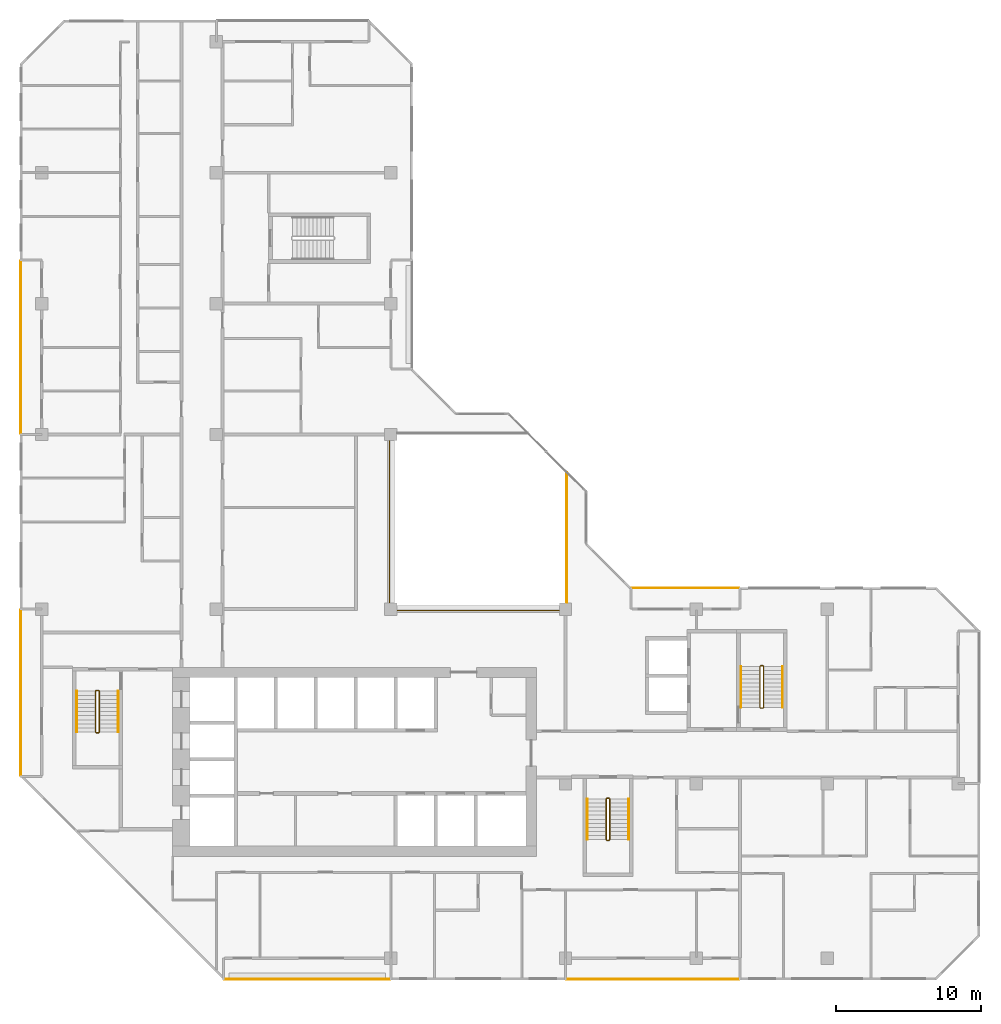
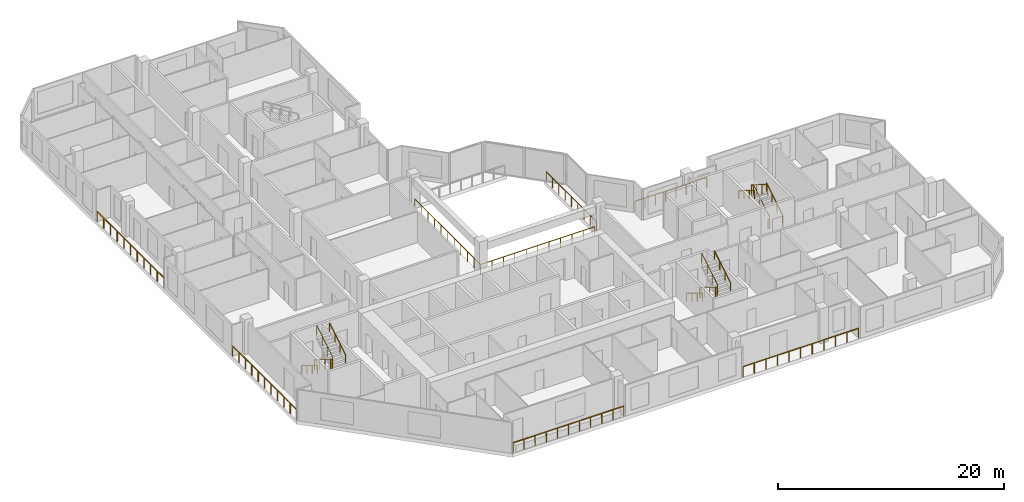
# One storey, part 14 of 15: 16 railings.
"""IFC4 building model written with IfcOpenShell, lengths in metres."""

from ifc_helpers import new_model, si_unit, direction, frame, origin, origin_2d, place, context, subcontext, project, spatial, rectangle, extrude, material, type_object, element, save


model = new_model("IFC4")

# Units and contexts
model_context = context("Model", 3, precision=1e-05, world=origin(), true_north=direction((0.0, 1.0)))
body_context = subcontext(model_context, "Body", "Model", "MODEL_VIEW")
ifc_project = project(units=[si_unit("LENGTHUNIT", "METRE"), si_unit("AREAUNIT", "SQUARE_METRE"), si_unit("VOLUMEUNIT", "CUBIC_METRE"), si_unit("PLANEANGLEUNIT", "RADIAN"), si_unit("MASSUNIT", "GRAM", prefix="KILO")], contexts=[model_context])

# Site, building, storey
site_placement = place(None, origin())
site = spatial("IfcSite", under=ifc_project, at=site_placement, CompositionType="ELEMENT")
building_placement = place(site_placement, origin())
building = spatial("IfcBuilding", under=site, at=building_placement, Name="Chenar Terraces", CompositionType="ELEMENT")
storey_placement = place(building_placement, frame((0.0, 0.0, 215.39990234375)))
storey = spatial("IfcBuildingStorey", under=building, at=storey_placement, Name="L50", CompositionType="ELEMENT", Elevation=215.39990234375)

# Railings
ifc_material_1 = material(Name="Powder-coated steel", Category="steel")
railing_type_1 = type_object("IfcRailingType", Name="Guard 1100 steel rail with glass infill", PredefinedType="GUARDRAIL", material=ifc_material_1)
railing_1_placement = place(storey_placement, frame((23.89990234375, 35.574951171875, 0.0)))
element("IfcRailing", 1, at=railing_1_placement, inside=storey, type_object=railing_type_1, Name="Guard L50-1", PredefinedType="GUARDRAIL", context=body_context, shape_type="SweptSolid", body=[
    extrude(rectangle(XDim=0.06005859375, YDim=0.06005859375, at=origin_2d()), frame((0.0, 0.0, 1.070068359375), z_axis=(0.0, -1.0, 0.0), x_axis=(1.0, 0.0, 0.0)), (0.0, 0.0, 1.0), 11.675048828125),
    extrude(rectangle(XDim=0.06005859375, YDim=0.06005859375, at=origin_2d()), frame((0.0, -11.675048828125, 1.070068359375), z_axis=(1.0, 0.0, 0.0), x_axis=(0.0, 1.0, 0.0)), (0.0, 0.0, 1.0), 11.675048828125),
    extrude(rectangle(XDim=0.050048828125, YDim=0.050048828125, at=origin_2d()), origin(), (0.0, 0.0, 1.0), 1.0400390625),
    extrude(rectangle(XDim=0.050048828125, YDim=0.050048828125, at=origin_2d()), frame((0.0, -1.16748046875, 0.0)), (0.0, 0.0, 1.0), 1.0400390625),
    extrude(rectangle(XDim=0.050048828125, YDim=0.050048828125, at=origin_2d()), frame((0.0, -2.3349609375, 0.0)), (0.0, 0.0, 1.0), 1.0400390625),
    extrude(rectangle(XDim=0.050048828125, YDim=0.050048828125, at=origin_2d()), frame((0.0, -3.50244140625, 0.0)), (0.0, 0.0, 1.0), 1.0400390625),
    extrude(rectangle(XDim=0.050048828125, YDim=0.050048828125, at=origin_2d()), frame((0.0, -4.669921875, 0.0)), (0.0, 0.0, 1.0), 1.0400390625),
    extrude(rectangle(XDim=0.050048828125, YDim=0.050048828125, at=origin_2d()), frame((0.0, -5.83740234375, 0.0)), (0.0, 0.0, 1.0), 1.0400390625),
    extrude(rectangle(XDim=0.050048828125, YDim=0.050048828125, at=origin_2d()), frame((0.0, -7.005126953125, 0.0)), (0.0, 0.0, 1.0), 1.0400390625),
    extrude(rectangle(XDim=0.050048828125, YDim=0.050048828125, at=origin_2d()), frame((0.0, -8.172607421875, 0.0)), (0.0, 0.0, 1.0), 1.0400390625),
    extrude(rectangle(XDim=0.050048828125, YDim=0.050048828125, at=origin_2d()), frame((0.0, -9.340087890625, 0.0)), (0.0, 0.0, 1.0), 1.0400390625),
    extrude(rectangle(XDim=0.050048828125, YDim=0.050048828125, at=origin_2d()), frame((0.0, -10.507568359375, 0.0)), (0.0, 0.0, 1.0), 1.0400390625),
    extrude(rectangle(XDim=0.050048828125, YDim=0.050048828125, at=origin_2d()), frame((0.0, -11.675048828125, 0.0)), (0.0, 0.0, 1.0), 1.0400390625),
    extrude(rectangle(XDim=0.050048828125, YDim=0.050048828125, at=origin_2d()), frame((1.16748046875, -11.675048828125, 0.0)), (0.0, 0.0, 1.0), 1.0400390625),
    extrude(rectangle(XDim=0.050048828125, YDim=0.050048828125, at=origin_2d()), frame((2.3349609375, -11.675048828125, 0.0)), (0.0, 0.0, 1.0), 1.0400390625),
    extrude(rectangle(XDim=0.050048828125, YDim=0.050048828125, at=origin_2d()), frame((3.50244140625, -11.675048828125, 0.0)), (0.0, 0.0, 1.0), 1.0400390625),
    extrude(rectangle(XDim=0.050048828125, YDim=0.050048828125, at=origin_2d()), frame((4.669921875, -11.675048828125, 0.0)), (0.0, 0.0, 1.0), 1.0400390625),
    extrude(rectangle(XDim=0.050048828125, YDim=0.050048828125, at=origin_2d()), frame((5.83740234375, -11.675048828125, 0.0)), (0.0, 0.0, 1.0), 1.0400390625),
    extrude(rectangle(XDim=0.050048828125, YDim=0.050048828125, at=origin_2d()), frame((7.005126953125, -11.675048828125, 0.0)), (0.0, 0.0, 1.0), 1.0400390625),
    extrude(rectangle(XDim=0.050048828125, YDim=0.050048828125, at=origin_2d()), frame((8.172607421875, -11.675048828125, 0.0)), (0.0, 0.0, 1.0), 1.0400390625),
    extrude(rectangle(XDim=0.050048828125, YDim=0.050048828125, at=origin_2d()), frame((9.340087890625, -11.675048828125, 0.0)), (0.0, 0.0, 1.0), 1.0400390625),
    extrude(rectangle(XDim=0.050048828125, YDim=0.050048828125, at=origin_2d()), frame((10.507568359375, -11.675048828125, 0.0)), (0.0, 0.0, 1.0), 1.0400390625),
    extrude(rectangle(XDim=0.050048828125, YDim=0.050048828125, at=origin_2d()), frame((11.675048828125, -11.675048828125, 0.0)), (0.0, 0.0, 1.0), 1.0400390625),
])
railing_2_placement = place(storey_placement, frame((36.10009765625, 24.47509765625, 0.0)))
element("IfcRailing", 2, at=railing_2_placement, inside=storey, type_object=railing_type_1, Name="Guard L50-3", PredefinedType="GUARDRAIL", context=body_context, shape_type="SweptSolid", body=[
    extrude(rectangle(XDim=0.06005859375, YDim=0.06005859375, at=origin_2d()), frame((0.0, 0.0, 1.070068359375), z_axis=(0.0, 1.0, 0.0), x_axis=(-1.0, 0.0, 0.0)), (0.0, 0.0, 1.0), 8.9248046875),
    extrude(rectangle(XDim=0.050048828125, YDim=0.050048828125, at=origin_2d()), origin(), (0.0, 0.0, 1.0), 1.0400390625),
    extrude(rectangle(XDim=0.050048828125, YDim=0.050048828125, at=origin_2d()), frame((0.0, 1.11572265625, 0.0)), (0.0, 0.0, 1.0), 1.0400390625),
    extrude(rectangle(XDim=0.050048828125, YDim=0.050048828125, at=origin_2d()), frame((0.0, 2.231201171875, 0.0)), (0.0, 0.0, 1.0), 1.0400390625),
    extrude(rectangle(XDim=0.050048828125, YDim=0.050048828125, at=origin_2d()), frame((0.0, 3.3466796875, 0.0)), (0.0, 0.0, 1.0), 1.0400390625),
    extrude(rectangle(XDim=0.050048828125, YDim=0.050048828125, at=origin_2d()), frame((0.0, 4.46240234375, 0.0)), (0.0, 0.0, 1.0), 1.0400390625),
    extrude(rectangle(XDim=0.050048828125, YDim=0.050048828125, at=origin_2d()), frame((0.0, 5.578125, 0.0)), (0.0, 0.0, 1.0), 1.0400390625),
    extrude(rectangle(XDim=0.050048828125, YDim=0.050048828125, at=origin_2d()), frame((0.0, 6.693603515625, 0.0)), (0.0, 0.0, 1.0), 1.0400390625),
    extrude(rectangle(XDim=0.050048828125, YDim=0.050048828125, at=origin_2d()), frame((0.0, 7.80908203125, 0.0)), (0.0, 0.0, 1.0), 1.0400390625),
    extrude(rectangle(XDim=0.050048828125, YDim=0.050048828125, at=origin_2d()), frame((0.0, 8.9248046875, 0.0)), (0.0, 0.0, 1.0), 1.0400390625),
])
ifc_material_2 = material(Name="Stainless steel and glass", Category="steel")
railing_type_2 = type_object("IfcRailingType", Name="Loggia guard 1150", PredefinedType="GUARDRAIL", material=ifc_material_2)
railing_3_placement = place(storey_placement, frame((47.925048828125, 25.449951171875, 0.0)))
element("IfcRailing", 3, at=railing_3_placement, inside=storey, type_object=railing_type_2, Name="Loggia guard", PredefinedType="GUARDRAIL", context=body_context, shape_type="SweptSolid", body=[
    extrude(rectangle(XDim=0.048095703125, YDim=0.048095703125, at=origin_2d()), frame((0.0, 0.0, 1.1259765625), z_axis=(-1.0, 0.0, 0.0), x_axis=(0.0, -1.0, 0.0)), (0.0, 0.0, 1.0), 7.35009765625),
    extrude(rectangle(XDim=0.0419921875, YDim=0.0419921875, at=origin_2d()), origin(), (0.0, 0.0, 1.0), 1.101806640625),
    extrude(rectangle(XDim=0.0419921875, YDim=0.0419921875, at=origin_2d()), frame((-1.050048828125, 0.0, 0.0)), (0.0, 0.0, 1.0), 1.101806640625),
    extrude(rectangle(XDim=0.0419921875, YDim=0.0419921875, at=origin_2d()), frame((-2.10009765625, 0.0, 0.0)), (0.0, 0.0, 1.0), 1.101806640625),
    extrude(rectangle(XDim=0.0419921875, YDim=0.0419921875, at=origin_2d()), frame((-3.150146484375, 0.0, 0.0)), (0.0, 0.0, 1.0), 1.101806640625),
    extrude(rectangle(XDim=0.0419921875, YDim=0.0419921875, at=origin_2d()), frame((-4.199951171875, 0.0, 0.0)), (0.0, 0.0, 1.0), 1.101806640625),
    extrude(rectangle(XDim=0.0419921875, YDim=0.0419921875, at=origin_2d()), frame((-5.25, 0.0, 0.0)), (0.0, 0.0, 1.0), 1.101806640625),
    extrude(rectangle(XDim=0.0419921875, YDim=0.0419921875, at=origin_2d()), frame((-6.300048828125, 0.0, 0.0)), (0.0, 0.0, 1.0), 1.101806640625),
    extrude(rectangle(XDim=0.0419921875, YDim=0.0419921875, at=origin_2d()), frame((-7.35009765625, 0.0, 0.0)), (0.0, 0.0, 1.0), 1.101806640625),
])
railing_4_placement = place(storey_placement, frame((12.574951171875, -1.449951171875, 0.0)))
element("IfcRailing", 4, at=railing_4_placement, inside=storey, type_object=railing_type_2, Name="Loggia guard", PredefinedType="GUARDRAIL", context=body_context, shape_type="SweptSolid", body=[
    extrude(rectangle(XDim=0.048095703125, YDim=0.048095703125, at=origin_2d()), frame((0.0, 0.0, 1.1259765625), z_axis=(1.0, 0.0, 0.0), x_axis=(0.0, 1.0, 0.0)), (0.0, 0.0, 1.0), 11.35009765625),
    extrude(rectangle(XDim=0.0419921875, YDim=0.0419921875, at=origin_2d()), origin(), (0.0, 0.0, 1.0), 1.101806640625),
    extrude(rectangle(XDim=0.0419921875, YDim=0.0419921875, at=origin_2d()), frame((1.135009765625, 0.0, 0.0)), (0.0, 0.0, 1.0), 1.101806640625),
    extrude(rectangle(XDim=0.0419921875, YDim=0.0419921875, at=origin_2d()), frame((2.27001953125, 0.0, 0.0)), (0.0, 0.0, 1.0), 1.101806640625),
    extrude(rectangle(XDim=0.0419921875, YDim=0.0419921875, at=origin_2d()), frame((3.405029296875, 0.0, 0.0)), (0.0, 0.0, 1.0), 1.101806640625),
    extrude(rectangle(XDim=0.0419921875, YDim=0.0419921875, at=origin_2d()), frame((4.5400390625, 0.0, 0.0)), (0.0, 0.0, 1.0), 1.101806640625),
    extrude(rectangle(XDim=0.0419921875, YDim=0.0419921875, at=origin_2d()), frame((5.675048828125, 0.0, 0.0)), (0.0, 0.0, 1.0), 1.101806640625),
    extrude(rectangle(XDim=0.0419921875, YDim=0.0419921875, at=origin_2d()), frame((6.81005859375, 0.0, 0.0)), (0.0, 0.0, 1.0), 1.101806640625),
    extrude(rectangle(XDim=0.0419921875, YDim=0.0419921875, at=origin_2d()), frame((7.945068359375, 0.0, 0.0)), (0.0, 0.0, 1.0), 1.101806640625),
    extrude(rectangle(XDim=0.0419921875, YDim=0.0419921875, at=origin_2d()), frame((9.080078125, 0.0, 0.0)), (0.0, 0.0, 1.0), 1.101806640625),
    extrude(rectangle(XDim=0.0419921875, YDim=0.0419921875, at=origin_2d()), frame((10.215087890625, 0.0, 0.0)), (0.0, 0.0, 1.0), 1.101806640625),
    extrude(rectangle(XDim=0.0419921875, YDim=0.0419921875, at=origin_2d()), frame((11.35009765625, 0.0, 0.0)), (0.0, 0.0, 1.0), 1.101806640625),
])
railing_5_placement = place(storey_placement, frame((36.074951171875, -1.449951171875, 0.0)))
element("IfcRailing", 5, at=railing_5_placement, inside=storey, type_object=railing_type_2, Name="Loggia guard", PredefinedType="GUARDRAIL", context=body_context, shape_type="SweptSolid", body=[
    extrude(rectangle(XDim=0.048095703125, YDim=0.048095703125, at=origin_2d()), frame((0.0, 0.0, 1.1259765625), z_axis=(1.0, 0.0, 0.0), x_axis=(0.0, 1.0, 0.0)), (0.0, 0.0, 1.0), 11.85009765625),
    extrude(rectangle(XDim=0.0419921875, YDim=0.0419921875, at=origin_2d()), origin(), (0.0, 0.0, 1.0), 1.101806640625),
    extrude(rectangle(XDim=0.0419921875, YDim=0.0419921875, at=origin_2d()), frame((1.18505859375, 0.0, 0.0)), (0.0, 0.0, 1.0), 1.101806640625),
    extrude(rectangle(XDim=0.0419921875, YDim=0.0419921875, at=origin_2d()), frame((2.3701171875, 0.0, 0.0)), (0.0, 0.0, 1.0), 1.101806640625),
    extrude(rectangle(XDim=0.0419921875, YDim=0.0419921875, at=origin_2d()), frame((3.554931640625, 0.0, 0.0)), (0.0, 0.0, 1.0), 1.101806640625),
    extrude(rectangle(XDim=0.0419921875, YDim=0.0419921875, at=origin_2d()), frame((4.739990234375, 0.0, 0.0)), (0.0, 0.0, 1.0), 1.101806640625),
    extrude(rectangle(XDim=0.0419921875, YDim=0.0419921875, at=origin_2d()), frame((5.925048828125, 0.0, 0.0)), (0.0, 0.0, 1.0), 1.101806640625),
    extrude(rectangle(XDim=0.0419921875, YDim=0.0419921875, at=origin_2d()), frame((7.110107421875, 0.0, 0.0)), (0.0, 0.0, 1.0), 1.101806640625),
    extrude(rectangle(XDim=0.0419921875, YDim=0.0419921875, at=origin_2d()), frame((8.295166015625, 0.0, 0.0)), (0.0, 0.0, 1.0), 1.101806640625),
    extrude(rectangle(XDim=0.0419921875, YDim=0.0419921875, at=origin_2d()), frame((9.47998046875, 0.0, 0.0)), (0.0, 0.0, 1.0), 1.101806640625),
    extrude(rectangle(XDim=0.0419921875, YDim=0.0419921875, at=origin_2d()), frame((10.6650390625, 0.0, 0.0)), (0.0, 0.0, 1.0), 1.101806640625),
    extrude(rectangle(XDim=0.0419921875, YDim=0.0419921875, at=origin_2d()), frame((11.85009765625, 0.0, 0.0)), (0.0, 0.0, 1.0), 1.101806640625),
])
railing_6_placement = place(storey_placement, frame((-1.449951171875, 47.925048828125, 0.0)))
element("IfcRailing", 6, at=railing_6_placement, inside=storey, type_object=railing_type_2, Name="Loggia guard", PredefinedType="GUARDRAIL", context=body_context, shape_type="SweptSolid", body=[
    extrude(rectangle(XDim=0.048095703125, YDim=0.048095703125, at=origin_2d()), frame((0.0, 0.0, 1.1259765625), z_axis=(0.0, -1.0, 0.0), x_axis=(1.0, 0.0, 0.0)), (0.0, 0.0, 1.0), 11.85009765625),
    extrude(rectangle(XDim=0.0419921875, YDim=0.0419921875, at=origin_2d()), origin(), (0.0, 0.0, 1.0), 1.101806640625),
    extrude(rectangle(XDim=0.0419921875, YDim=0.0419921875, at=origin_2d()), frame((0.0, -1.18505859375, 0.0)), (0.0, 0.0, 1.0), 1.101806640625),
    extrude(rectangle(XDim=0.0419921875, YDim=0.0419921875, at=origin_2d()), frame((0.0, -2.3701171875, 0.0)), (0.0, 0.0, 1.0), 1.101806640625),
    extrude(rectangle(XDim=0.0419921875, YDim=0.0419921875, at=origin_2d()), frame((0.0, -3.554931640625, 0.0)), (0.0, 0.0, 1.0), 1.101806640625),
    extrude(rectangle(XDim=0.0419921875, YDim=0.0419921875, at=origin_2d()), frame((0.0, -4.739990234375, 0.0)), (0.0, 0.0, 1.0), 1.101806640625),
    extrude(rectangle(XDim=0.0419921875, YDim=0.0419921875, at=origin_2d()), frame((0.0, -5.925048828125, 0.0)), (0.0, 0.0, 1.0), 1.101806640625),
    extrude(rectangle(XDim=0.0419921875, YDim=0.0419921875, at=origin_2d()), frame((0.0, -7.110107421875, 0.0)), (0.0, 0.0, 1.0), 1.101806640625),
    extrude(rectangle(XDim=0.0419921875, YDim=0.0419921875, at=origin_2d()), frame((0.0, -8.295166015625, 0.0)), (0.0, 0.0, 1.0), 1.101806640625),
    extrude(rectangle(XDim=0.0419921875, YDim=0.0419921875, at=origin_2d()), frame((0.0, -9.47998046875, 0.0)), (0.0, 0.0, 1.0), 1.101806640625),
    extrude(rectangle(XDim=0.0419921875, YDim=0.0419921875, at=origin_2d()), frame((0.0, -10.6650390625, 0.0)), (0.0, 0.0, 1.0), 1.101806640625),
    extrude(rectangle(XDim=0.0419921875, YDim=0.0419921875, at=origin_2d()), frame((0.0, -11.85009765625, 0.0)), (0.0, 0.0, 1.0), 1.101806640625),
])
railing_7_placement = place(storey_placement, frame((-1.449951171875, 23.925048828125, 0.0)))
element("IfcRailing", 7, at=railing_7_placement, inside=storey, type_object=railing_type_2, Name="Loggia guard", PredefinedType="GUARDRAIL", context=body_context, shape_type="SweptSolid", body=[
    extrude(rectangle(XDim=0.048095703125, YDim=0.048095703125, at=origin_2d()), frame((0.0, 0.0, 1.1259765625), z_axis=(0.0, -1.0, 0.0), x_axis=(1.0, 0.0, 0.0)), (0.0, 0.0, 1.0), 11.35009765625),
    extrude(rectangle(XDim=0.0419921875, YDim=0.0419921875, at=origin_2d()), origin(), (0.0, 0.0, 1.0), 1.101806640625),
    extrude(rectangle(XDim=0.0419921875, YDim=0.0419921875, at=origin_2d()), frame((0.0, -1.135009765625, 0.0)), (0.0, 0.0, 1.0), 1.101806640625),
    extrude(rectangle(XDim=0.0419921875, YDim=0.0419921875, at=origin_2d()), frame((0.0, -2.27001953125, 0.0)), (0.0, 0.0, 1.0), 1.101806640625),
    extrude(rectangle(XDim=0.0419921875, YDim=0.0419921875, at=origin_2d()), frame((0.0, -3.405029296875, 0.0)), (0.0, 0.0, 1.0), 1.101806640625),
    extrude(rectangle(XDim=0.0419921875, YDim=0.0419921875, at=origin_2d()), frame((0.0, -4.5400390625, 0.0)), (0.0, 0.0, 1.0), 1.101806640625),
    extrude(rectangle(XDim=0.0419921875, YDim=0.0419921875, at=origin_2d()), frame((0.0, -5.675048828125, 0.0)), (0.0, 0.0, 1.0), 1.101806640625),
    extrude(rectangle(XDim=0.0419921875, YDim=0.0419921875, at=origin_2d()), frame((0.0, -6.81005859375, 0.0)), (0.0, 0.0, 1.0), 1.101806640625),
    extrude(rectangle(XDim=0.0419921875, YDim=0.0419921875, at=origin_2d()), frame((0.0, -7.945068359375, 0.0)), (0.0, 0.0, 1.0), 1.101806640625),
    extrude(rectangle(XDim=0.0419921875, YDim=0.0419921875, at=origin_2d()), frame((0.0, -9.080078125, 0.0)), (0.0, 0.0, 1.0), 1.101806640625),
    extrude(rectangle(XDim=0.0419921875, YDim=0.0419921875, at=origin_2d()), frame((0.0, -10.215087890625, 0.0)), (0.0, 0.0, 1.0), 1.101806640625),
    extrude(rectangle(XDim=0.0419921875, YDim=0.0419921875, at=origin_2d()), frame((0.0, -11.35009765625, 0.0)), (0.0, 0.0, 1.0), 1.101806640625),
])
ifc_material_3 = material(Name="Powder-coated steel", Category="steel")
railing_type_3 = type_object("IfcRailingType", Name="Stair guard 1100", PredefinedType="GUARDRAIL", material=ifc_material_3)
railing_8_placement = place(storey_placement, frame((3.949951171875, 18.35009765625, 3.75)))
element("IfcRailing", 8, at=railing_8_placement, inside=storey, type_object=railing_type_3, Name="L50 ST1 stair guard 1", PredefinedType="GUARDRAIL", context=body_context, shape_type="SweptSolid", body=[
    extrude(rectangle(XDim=0.048095703125, YDim=0.048095703125, at=origin_2d()), frame((0.0, 0.0, 1.076171875), z_axis=(0.0, -0.854202870247, -0.519939858505), x_axis=(1.0, 0.0, 0.0)), (0.0, 0.0, 1.0), 3.278076171875),
    extrude(rectangle(XDim=0.048095703125, YDim=0.048095703125, at=origin_2d()), frame((0.0, -2.800048828125, -0.62841796875), z_axis=(-0.270899902878, -0.270899902878, -0.923702595667), x_axis=(0.707106781187, -0.707106781187, 0.0)), (0.0, 0.0, 1.0), 0.184814453125),
    extrude(rectangle(XDim=0.048095703125, YDim=0.048095703125, at=origin_2d()), frame((-0.050048828125, -2.85009765625, -0.798828125), z_axis=(-1.0, 0.0, 0.0), x_axis=(0.0, -1.0, 0.0)), (0.0, 0.0, 1.0), 0.14990234375),
    extrude(rectangle(XDim=0.048095703125, YDim=0.048095703125, at=origin_2d()), frame((-0.199951171875, -2.85009765625, -0.798828125), z_axis=(-0.707106781187, 0.707106781187, 0.0), x_axis=(-0.707106781187, -0.707106781187, 0.0)), (0.0, 0.0, 1.0), 0.07080078125),
    extrude(rectangle(XDim=0.048095703125, YDim=0.048095703125, at=origin_2d()), frame((-0.25, -2.800048828125, -0.798828125), z_axis=(0.0, 0.854202870247, -0.519939858505), x_axis=(-1.0, 0.0, 0.0)), (0.0, 0.0, 1.0), 3.278076171875),
    extrude(rectangle(XDim=0.048095703125, YDim=0.048095703125, at=origin_2d()), frame((-0.25, 0.0, -2.50341796875), z_axis=(0.270996696079, 0.269674760976, -0.924032636873), x_axis=(-0.705375805398, 0.708833529934, 0.0)), (0.0, 0.0, 1.0), 0.1845703125),
    extrude(rectangle(XDim=0.048095703125, YDim=0.048095703125, at=origin_2d()), frame((-0.199951171875, 0.0498046875, -2.673828125), z_axis=(1.0, 0.0, 0.0), x_axis=(0.0, 1.0, 0.0)), (0.0, 0.0, 1.0), 0.14990234375),
    extrude(rectangle(XDim=0.0419921875, YDim=0.0419921875, at=origin_2d()), origin(), (0.0, 0.0, 1.0), 1.052001953125),
    extrude(rectangle(XDim=0.0419921875, YDim=0.0419921875, at=origin_2d()), frame((0.0, -0.933349609375, -0.568115234375)), (0.0, 0.0, 1.0), 1.052001953125),
    extrude(rectangle(XDim=0.0419921875, YDim=0.0419921875, at=origin_2d()), frame((0.0, -1.86669921875, -1.13623046875)), (0.0, 0.0, 1.0), 1.052001953125),
    extrude(rectangle(XDim=0.0419921875, YDim=0.0419921875, at=origin_2d()), frame((0.0, -2.800048828125, -1.704345703125)), (0.0, 0.0, 1.0), 1.052001953125),
    extrude(rectangle(XDim=0.0419921875, YDim=0.0419921875, at=origin_2d()), frame((-0.050048828125, -2.85009765625, -1.875)), (0.0, 0.0, 1.0), 1.052001953125),
    extrude(rectangle(XDim=0.0419921875, YDim=0.0419921875, at=origin_2d()), frame((-0.199951171875, -2.85009765625, -1.875)), (0.0, 0.0, 1.0), 1.052001953125),
    extrude(rectangle(XDim=0.0419921875, YDim=0.0419921875, at=origin_2d()), frame((-0.25, -2.800048828125, -1.875)), (0.0, 0.0, 1.0), 1.052001953125),
    extrude(rectangle(XDim=0.0419921875, YDim=0.0419921875, at=origin_2d()), frame((-0.25, -1.86669921875, -2.443115234375)), (0.0, 0.0, 1.0), 1.052001953125),
    extrude(rectangle(XDim=0.0419921875, YDim=0.0419921875, at=origin_2d()), frame((-0.25, -0.933349609375, -3.01123046875)), (0.0, 0.0, 1.0), 1.052001953125),
    extrude(rectangle(XDim=0.0419921875, YDim=0.0419921875, at=origin_2d()), frame((-0.25, 0.0, -3.579345703125)), (0.0, 0.0, 1.0), 1.052001953125),
    extrude(rectangle(XDim=0.0419921875, YDim=0.0419921875, at=origin_2d()), frame((-0.199951171875, 0.0498046875, -3.75)), (0.0, 0.0, 1.0), 1.052001953125),
    extrude(rectangle(XDim=0.0419921875, YDim=0.0419921875, at=origin_2d()), frame((-0.050048828125, 0.0498046875, -3.75)), (0.0, 0.0, 1.0), 1.052001953125),
])
railing_9_placement = place(storey_placement, frame((39.050048828125, 10.949951171875, 3.75)))
element("IfcRailing", 9, at=railing_9_placement, inside=storey, type_object=railing_type_3, Name="L50 ST2 stair guard 1", PredefinedType="GUARDRAIL", context=body_context, shape_type="SweptSolid", body=[
    extrude(rectangle(XDim=0.048095703125, YDim=0.048095703125, at=origin_2d()), frame((0.0, 0.0, 1.076171875), z_axis=(0.0, -0.854202870247, -0.519939858505), x_axis=(1.0, 0.0, 0.0)), (0.0, 0.0, 1.0), 3.278076171875),
    extrude(rectangle(XDim=0.048095703125, YDim=0.048095703125, at=origin_2d()), frame((0.0, -2.800048828125, -0.62841796875), z_axis=(-0.270996696079, -0.269674760976, -0.924032636873), x_axis=(0.705375805398, -0.708833529934, 0.0)), (0.0, 0.0, 1.0), 0.1845703125),
    extrude(rectangle(XDim=0.048095703125, YDim=0.048095703125, at=origin_2d()), frame((-0.050048828125, -2.849853515625, -0.798828125), z_axis=(-1.0, 0.0, 0.0), x_axis=(0.0, -1.0, 0.0)), (0.0, 0.0, 1.0), 0.14990234375),
    extrude(rectangle(XDim=0.048095703125, YDim=0.048095703125, at=origin_2d()), frame((-0.199951171875, -2.849853515625, -0.798828125), z_axis=(-0.708833529934, 0.705375805398, 0.0), x_axis=(-0.705375805398, -0.708833529934, 0.0)), (0.0, 0.0, 1.0), 0.070556640625),
    extrude(rectangle(XDim=0.048095703125, YDim=0.048095703125, at=origin_2d()), frame((-0.25, -2.800048828125, -0.798828125), z_axis=(0.0, 0.854202870247, -0.519939858505), x_axis=(-1.0, 0.0, 0.0)), (0.0, 0.0, 1.0), 3.278076171875),
    extrude(rectangle(XDim=0.048095703125, YDim=0.048095703125, at=origin_2d()), frame((-0.25, 0.0, -2.50341796875), z_axis=(0.270899902878, 0.270899902878, -0.923702595667), x_axis=(-0.707106781187, 0.707106781187, 0.0)), (0.0, 0.0, 1.0), 0.184814453125),
    extrude(rectangle(XDim=0.048095703125, YDim=0.048095703125, at=origin_2d()), frame((-0.199951171875, 0.050048828125, -2.673828125), z_axis=(1.0, 0.0, 0.0), x_axis=(0.0, 1.0, 0.0)), (0.0, 0.0, 1.0), 0.14990234375),
    extrude(rectangle(XDim=0.0419921875, YDim=0.0419921875, at=origin_2d()), origin(), (0.0, 0.0, 1.0), 1.052001953125),
    extrude(rectangle(XDim=0.0419921875, YDim=0.0419921875, at=origin_2d()), frame((0.0, -0.933349609375, -0.568115234375)), (0.0, 0.0, 1.0), 1.052001953125),
    extrude(rectangle(XDim=0.0419921875, YDim=0.0419921875, at=origin_2d()), frame((0.0, -1.86669921875, -1.13623046875)), (0.0, 0.0, 1.0), 1.052001953125),
    extrude(rectangle(XDim=0.0419921875, YDim=0.0419921875, at=origin_2d()), frame((0.0, -2.800048828125, -1.704345703125)), (0.0, 0.0, 1.0), 1.052001953125),
    extrude(rectangle(XDim=0.0419921875, YDim=0.0419921875, at=origin_2d()), frame((-0.050048828125, -2.849853515625, -1.875)), (0.0, 0.0, 1.0), 1.052001953125),
    extrude(rectangle(XDim=0.0419921875, YDim=0.0419921875, at=origin_2d()), frame((-0.199951171875, -2.849853515625, -1.875)), (0.0, 0.0, 1.0), 1.052001953125),
    extrude(rectangle(XDim=0.0419921875, YDim=0.0419921875, at=origin_2d()), frame((-0.25, -2.800048828125, -1.875)), (0.0, 0.0, 1.0), 1.052001953125),
    extrude(rectangle(XDim=0.0419921875, YDim=0.0419921875, at=origin_2d()), frame((-0.25, -1.86669921875, -2.443115234375)), (0.0, 0.0, 1.0), 1.052001953125),
    extrude(rectangle(XDim=0.0419921875, YDim=0.0419921875, at=origin_2d()), frame((-0.25, -0.933349609375, -3.01123046875)), (0.0, 0.0, 1.0), 1.052001953125),
    extrude(rectangle(XDim=0.0419921875, YDim=0.0419921875, at=origin_2d()), frame((-0.25, 0.0, -3.579345703125)), (0.0, 0.0, 1.0), 1.052001953125),
    extrude(rectangle(XDim=0.0419921875, YDim=0.0419921875, at=origin_2d()), frame((-0.199951171875, 0.050048828125, -3.75)), (0.0, 0.0, 1.0), 1.052001953125),
    extrude(rectangle(XDim=0.0419921875, YDim=0.0419921875, at=origin_2d()), frame((-0.050048828125, 0.050048828125, -3.75)), (0.0, 0.0, 1.0), 1.052001953125),
])
railing_10_placement = place(storey_placement, frame((49.375, 17.25, 3.75)))
element("IfcRailing", 10, at=railing_10_placement, inside=storey, type_object=railing_type_3, Name="L50 ST3 stair guard 1", PredefinedType="GUARDRAIL", context=body_context, shape_type="SweptSolid", body=[
    extrude(rectangle(XDim=0.048095703125, YDim=0.048095703125, at=origin_2d()), frame((0.0, 0.0, 1.076171875), z_axis=(0.0, 0.854202870247, -0.519939858505), x_axis=(-1.0, 0.0, 0.0)), (0.0, 0.0, 1.0), 3.278076171875),
    extrude(rectangle(XDim=0.048095703125, YDim=0.048095703125, at=origin_2d()), frame((0.0, 2.800048828125, -0.62841796875), z_axis=(0.270899902878, 0.270899902878, -0.923702595667), x_axis=(-0.707106781187, 0.707106781187, 0.0)), (0.0, 0.0, 1.0), 0.184814453125),
    extrude(rectangle(XDim=0.048095703125, YDim=0.048095703125, at=origin_2d()), frame((0.050048828125, 2.85009765625, -0.798828125), z_axis=(1.0, 0.0, 0.0), x_axis=(0.0, 1.0, 0.0)), (0.0, 0.0, 1.0), 0.14990234375),
    extrude(rectangle(XDim=0.048095703125, YDim=0.048095703125, at=origin_2d()), frame((0.199951171875, 2.85009765625, -0.798828125), z_axis=(0.707106781187, -0.707106781187, 0.0), x_axis=(0.707106781187, 0.707106781187, 0.0)), (0.0, 0.0, 1.0), 0.07080078125),
    extrude(rectangle(XDim=0.048095703125, YDim=0.048095703125, at=origin_2d()), frame((0.25, 2.800048828125, -0.798828125), z_axis=(0.0, -0.854202870247, -0.519939858505), x_axis=(1.0, 0.0, 0.0)), (0.0, 0.0, 1.0), 3.278076171875),
    extrude(rectangle(XDim=0.048095703125, YDim=0.048095703125, at=origin_2d()), frame((0.25, 0.0, -2.50341796875), z_axis=(-0.270899902878, -0.270899902878, -0.923702595667), x_axis=(0.707106781187, -0.707106781187, 0.0)), (0.0, 0.0, 1.0), 0.184814453125),
    extrude(rectangle(XDim=0.048095703125, YDim=0.048095703125, at=origin_2d()), frame((0.199951171875, -0.050048828125, -2.673828125), z_axis=(-1.0, 0.0, 0.0), x_axis=(0.0, -1.0, 0.0)), (0.0, 0.0, 1.0), 0.14990234375),
    extrude(rectangle(XDim=0.0419921875, YDim=0.0419921875, at=origin_2d()), origin(), (0.0, 0.0, 1.0), 1.052001953125),
    extrude(rectangle(XDim=0.0419921875, YDim=0.0419921875, at=origin_2d()), frame((0.0, 0.933349609375, -0.568115234375)), (0.0, 0.0, 1.0), 1.052001953125),
    extrude(rectangle(XDim=0.0419921875, YDim=0.0419921875, at=origin_2d()), frame((0.0, 1.86669921875, -1.13623046875)), (0.0, 0.0, 1.0), 1.052001953125),
    extrude(rectangle(XDim=0.0419921875, YDim=0.0419921875, at=origin_2d()), frame((0.0, 2.800048828125, -1.704345703125)), (0.0, 0.0, 1.0), 1.052001953125),
    extrude(rectangle(XDim=0.0419921875, YDim=0.0419921875, at=origin_2d()), frame((0.050048828125, 2.85009765625, -1.875)), (0.0, 0.0, 1.0), 1.052001953125),
    extrude(rectangle(XDim=0.0419921875, YDim=0.0419921875, at=origin_2d()), frame((0.199951171875, 2.85009765625, -1.875)), (0.0, 0.0, 1.0), 1.052001953125),
    extrude(rectangle(XDim=0.0419921875, YDim=0.0419921875, at=origin_2d()), frame((0.25, 2.800048828125, -1.875)), (0.0, 0.0, 1.0), 1.052001953125),
    extrude(rectangle(XDim=0.0419921875, YDim=0.0419921875, at=origin_2d()), frame((0.25, 1.86669921875, -2.443115234375)), (0.0, 0.0, 1.0), 1.052001953125),
    extrude(rectangle(XDim=0.0419921875, YDim=0.0419921875, at=origin_2d()), frame((0.25, 0.933349609375, -3.01123046875)), (0.0, 0.0, 1.0), 1.052001953125),
    extrude(rectangle(XDim=0.0419921875, YDim=0.0419921875, at=origin_2d()), frame((0.25, 0.0, -3.579345703125)), (0.0, 0.0, 1.0), 1.052001953125),
    extrude(rectangle(XDim=0.0419921875, YDim=0.0419921875, at=origin_2d()), frame((0.199951171875, -0.050048828125, -3.75)), (0.0, 0.0, 1.0), 1.052001953125),
    extrude(rectangle(XDim=0.0419921875, YDim=0.0419921875, at=origin_2d()), frame((0.050048828125, -0.050048828125, -3.75)), (0.0, 0.0, 1.0), 1.052001953125),
])
ifc_material_4 = material(Name="Powder-coated steel", Category="steel")
railing_type_4 = type_object("IfcRailingType", Name="Stair handrail 900", PredefinedType="HANDRAIL", material=ifc_material_4)
railing_11_placement = place(storey_placement, frame((2.39990234375, 18.35009765625, 0.170654296875)))
element("IfcRailing", 11, at=railing_11_placement, inside=storey, type_object=railing_type_4, Name="L50 ST1 stair handrail 1", PredefinedType="HANDRAIL", context=body_context, shape_type="SweptSolid", body=[
    extrude(rectangle(XDim=0.048095703125, YDim=0.048095703125, at=origin_2d()), frame((0.0, 0.0, 0.8759765625), z_axis=(0.0, -0.854202870247, 0.519939858505), x_axis=(1.0, 0.0, 0.0)), (0.0, 0.0, 1.0), 3.278076171875),
    extrude(rectangle(XDim=0.0419921875, YDim=0.0419921875, at=origin_2d()), origin(), (0.0, 0.0, 1.0), 0.851806640625),
    extrude(rectangle(XDim=0.0419921875, YDim=0.0419921875, at=origin_2d()), frame((0.0, -0.933349609375, 0.568115234375)), (0.0, 0.0, 1.0), 0.851806640625),
    extrude(rectangle(XDim=0.0419921875, YDim=0.0419921875, at=origin_2d()), frame((0.0, -1.86669921875, 1.13623046875)), (0.0, 0.0, 1.0), 0.851806640625),
    extrude(rectangle(XDim=0.0419921875, YDim=0.0419921875, at=origin_2d()), frame((0.0, -2.800048828125, 1.704345703125)), (0.0, 0.0, 1.0), 0.851806640625),
])
railing_12_placement = place(storey_placement, frame((5.25, 15.550048828125, 2.045654296875)))
element("IfcRailing", 12, at=railing_12_placement, inside=storey, type_object=railing_type_4, Name="L50 ST1 stair handrail 2", PredefinedType="HANDRAIL", context=body_context, shape_type="SweptSolid", body=[
    extrude(rectangle(XDim=0.048095703125, YDim=0.048095703125, at=origin_2d()), frame((0.0, 0.0, 0.8759765625), z_axis=(0.0, 0.854202870247, 0.519939858505), x_axis=(-1.0, 0.0, 0.0)), (0.0, 0.0, 1.0), 3.278076171875),
    extrude(rectangle(XDim=0.0419921875, YDim=0.0419921875, at=origin_2d()), origin(), (0.0, 0.0, 1.0), 0.851806640625),
    extrude(rectangle(XDim=0.0419921875, YDim=0.0419921875, at=origin_2d()), frame((0.0, 0.933349609375, 0.568115234375)), (0.0, 0.0, 1.0), 0.851806640625),
    extrude(rectangle(XDim=0.0419921875, YDim=0.0419921875, at=origin_2d()), frame((0.0, 1.86669921875, 1.13623046875)), (0.0, 0.0, 1.0), 0.851806640625),
    extrude(rectangle(XDim=0.0419921875, YDim=0.0419921875, at=origin_2d()), frame((0.0, 2.800048828125, 1.704345703125)), (0.0, 0.0, 1.0), 0.851806640625),
])
railing_13_placement = place(storey_placement, frame((37.5, 10.949951171875, 0.170654296875)))
element("IfcRailing", 13, at=railing_13_placement, inside=storey, type_object=railing_type_4, Name="L50 ST2 stair handrail 1", PredefinedType="HANDRAIL", context=body_context, shape_type="SweptSolid", body=[
    extrude(rectangle(XDim=0.048095703125, YDim=0.048095703125, at=origin_2d()), frame((0.0, 0.0, 0.8759765625), z_axis=(0.0, -0.854202870247, 0.519939858505), x_axis=(1.0, 0.0, 0.0)), (0.0, 0.0, 1.0), 3.278076171875),
    extrude(rectangle(XDim=0.0419921875, YDim=0.0419921875, at=origin_2d()), origin(), (0.0, 0.0, 1.0), 0.851806640625),
    extrude(rectangle(XDim=0.0419921875, YDim=0.0419921875, at=origin_2d()), frame((0.0, -0.933349609375, 0.568115234375)), (0.0, 0.0, 1.0), 0.851806640625),
    extrude(rectangle(XDim=0.0419921875, YDim=0.0419921875, at=origin_2d()), frame((0.0, -1.86669921875, 1.13623046875)), (0.0, 0.0, 1.0), 0.851806640625),
    extrude(rectangle(XDim=0.0419921875, YDim=0.0419921875, at=origin_2d()), frame((0.0, -2.800048828125, 1.704345703125)), (0.0, 0.0, 1.0), 0.851806640625),
])
for number, where, name in (
    (14, (40.35009765625, 8.14990234375, 2.045654296875), "L50 ST2 stair handrail 2"),
    (15, (50.925048828125, 17.25, 0.170654296875), "L50 ST3 stair handrail 1"),
):
    element("IfcRailing", number, at=place(storey_placement, frame(where)), inside=storey, type_object=railing_type_4, Name=name, PredefinedType="HANDRAIL", context=body_context, shape_type="SweptSolid", body=[
        extrude(rectangle(XDim=0.048095703125, YDim=0.048095703125, at=origin_2d()), frame((0.0, 0.0, 0.8759765625), z_axis=(0.0, 0.854202870247, 0.519939858505), x_axis=(-1.0, 0.0, 0.0)), (0.0, 0.0, 1.0), 3.278076171875),
        extrude(rectangle(XDim=0.0419921875, YDim=0.0419921875, at=origin_2d()), origin(), (0.0, 0.0, 1.0), 0.851806640625),
        extrude(rectangle(XDim=0.0419921875, YDim=0.0419921875, at=origin_2d()), frame((0.0, 0.933349609375, 0.568115234375)), (0.0, 0.0, 1.0), 0.851806640625),
        extrude(rectangle(XDim=0.0419921875, YDim=0.0419921875, at=origin_2d()), frame((0.0, 1.86669921875, 1.13623046875)), (0.0, 0.0, 1.0), 0.851806640625),
        extrude(rectangle(XDim=0.0419921875, YDim=0.0419921875, at=origin_2d()), frame((0.0, 2.800048828125, 1.704345703125)), (0.0, 0.0, 1.0), 0.851806640625),
    ])
railing_14_placement = place(storey_placement, frame((48.074951171875, 20.050048828125, 2.045654296875)))
element("IfcRailing", 16, at=railing_14_placement, inside=storey, type_object=railing_type_4, Name="L50 ST3 stair handrail 2", PredefinedType="HANDRAIL", context=body_context, shape_type="SweptSolid", body=[
    extrude(rectangle(XDim=0.048095703125, YDim=0.048095703125, at=origin_2d()), frame((0.0, 0.0, 0.8759765625), z_axis=(0.0, -0.854202870247, 0.519939858505), x_axis=(1.0, 0.0, 0.0)), (0.0, 0.0, 1.0), 3.278076171875),
    extrude(rectangle(XDim=0.0419921875, YDim=0.0419921875, at=origin_2d()), origin(), (0.0, 0.0, 1.0), 0.851806640625),
    extrude(rectangle(XDim=0.0419921875, YDim=0.0419921875, at=origin_2d()), frame((0.0, -0.933349609375, 0.568115234375)), (0.0, 0.0, 1.0), 0.851806640625),
    extrude(rectangle(XDim=0.0419921875, YDim=0.0419921875, at=origin_2d()), frame((0.0, -1.86669921875, 1.13623046875)), (0.0, 0.0, 1.0), 0.851806640625),
    extrude(rectangle(XDim=0.0419921875, YDim=0.0419921875, at=origin_2d()), frame((0.0, -2.800048828125, 1.704345703125)), (0.0, 0.0, 1.0), 0.851806640625),
])

save(model, "model.ifc")
